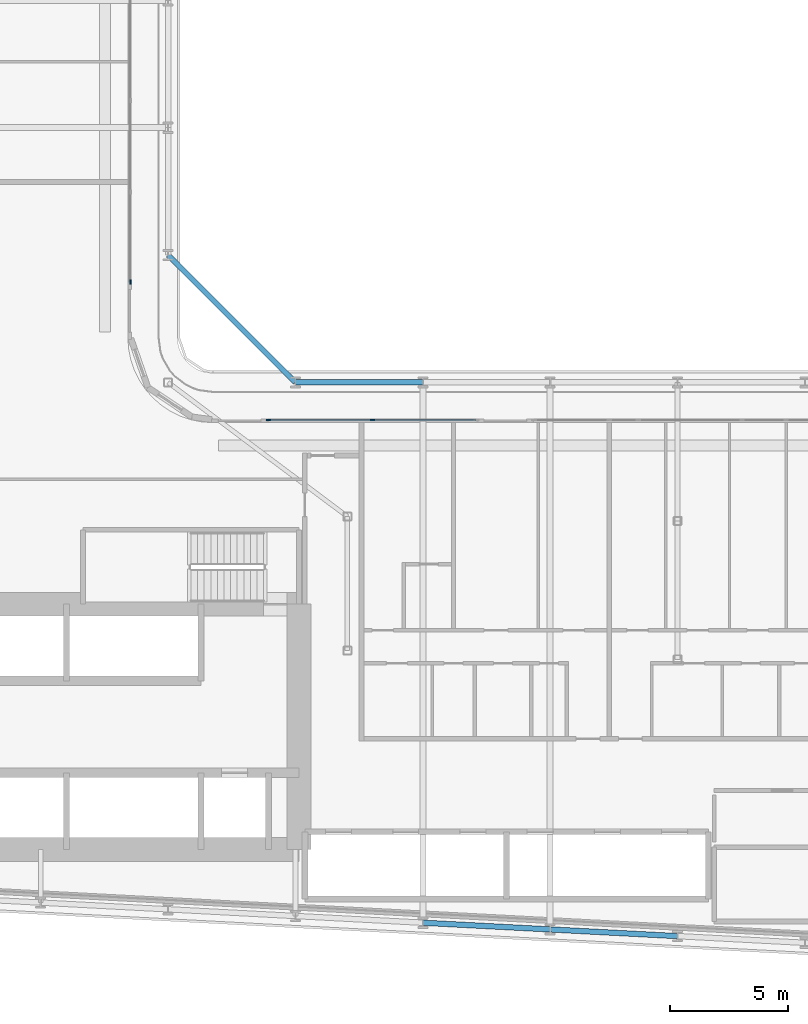
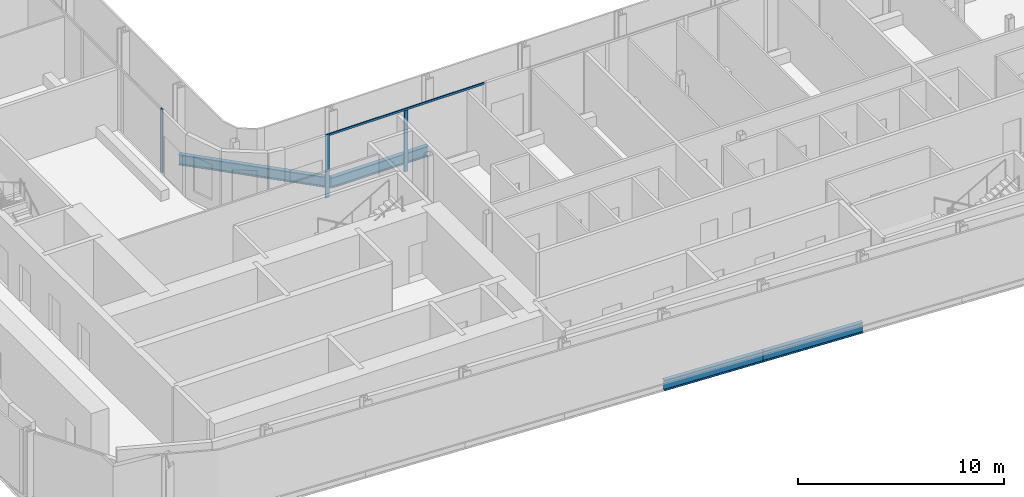
# One storey, part 4 of 28: 4 beams, 4 members, 2 elements without a shape of their own.
"""IFC4 building model written with IfcOpenShell, lengths in metres."""

from ifc_helpers import new_model, si_unit, direction, frame, origin, origin_2d, place, context, subcontext, project, spatial, rectangle, i_section, extrude, material, layer, layer_set, material_profile, profile_set, type_object, element, aggregate, save


model = new_model("IFC4")

# Units and contexts
model_context = context("Model", 3, precision=1e-05, world=origin(), true_north=direction((0.0, 1.0)))
body_context = subcontext(model_context, "Body", "Model", "MODEL_VIEW")
ifc_project = project(units=[si_unit("LENGTHUNIT", "METRE"), si_unit("AREAUNIT", "SQUARE_METRE"), si_unit("VOLUMEUNIT", "CUBIC_METRE"), si_unit("PLANEANGLEUNIT", "RADIAN"), si_unit("MASSUNIT", "GRAM", prefix="KILO")], contexts=[model_context])

# Site, building, storey
site_placement = place(None, origin())
site = spatial("IfcSite", under=ifc_project, at=site_placement, CompositionType="ELEMENT")
building_placement = place(site_placement, origin())
building = spatial("IfcBuilding", under=site, at=building_placement, Name="Kheshtan School and Residences Tower", CompositionType="ELEMENT")
storey_placement = place(building_placement, frame((0.0, 0.0, 42.199951171875)))
storey = spatial("IfcBuildingStorey", under=building, at=storey_placement, Name="L09", CompositionType="ELEMENT", Elevation=42.199951171875)

# Beams
ifc_material_1 = material(Name="Steel ASTM A992 Grade 50", Category="steel")
ifc_material_profile_1 = material_profile(ifc_material_1, i_section(OverallWidth=0.22998046875, OverallDepth=0.616943359375, WebThickness=0.01318359375, FlangeThickness=0.022216796875, FilletRadius=0.0185546875, at=origin_2d()), Name="W610x140")
ifc_profile_set_1 = profile_set([ifc_material_profile_1], Name="Steel ASTM A992 Grade 50")
beam_type = type_object("IfcBeamType", Name="Beam SP1 W610x140 ASTM A992 Grade 50", PredefinedType="BEAM", material=ifc_profile_set_1)
beam_1_placement = place(storey_placement, frame((47.60009765625, 51.0, -0.45849609375), z_axis=(0.707106781187, -0.707106781187, 0.0), x_axis=(0.707106781187, 0.707106781187, 0.0)))
element("IfcBeam", 1, at=beam_1_placement, inside=storey, type_object=beam_type, Name="Spandrel beam C079-C061", PredefinedType="BEAM", context=body_context, shape_type="SweptSolid", body=[
    extrude(i_section(OverallWidth=0.22998046875, OverallDepth=0.616943359375, WebThickness=0.01318359375, FlangeThickness=0.022216796875, FilletRadius=0.0185546875, at=origin_2d()), origin(), (0.0, 0.0, 1.0), 7.63671875),
])
beam_2_placement = place(storey_placement, frame((53.0, 45.60009765625, -0.45849609375), z_axis=(1.0, 0.0, 0.0), x_axis=(0.0, 1.0, 0.0)))
element("IfcBeam", 2, at=beam_2_placement, inside=storey, type_object=beam_type, Name="Spandrel beam C061-C062", PredefinedType="BEAM", context=body_context, shape_type="SweptSolid", body=[
    extrude(i_section(OverallWidth=0.22998046875, OverallDepth=0.616943359375, WebThickness=0.01318359375, FlangeThickness=0.022216796875, FilletRadius=0.0185546875, at=origin_2d()), origin(), (0.0, 0.0, 1.0), 5.39990234375),
])
beam_3_placement = place(storey_placement, frame((69.199951171875, 22.126953125, -0.45849609375), z_axis=(-0.998620447272, 0.05250906864, 0.0), x_axis=(-0.05250906864, -0.998620447272, 0.0)))
element("IfcBeam", 3, at=beam_3_placement, inside=storey, type_object=beam_type, Name="Spandrel beam C014-C016", PredefinedType="BEAM", context=body_context, shape_type="SweptSolid", body=[
    extrude(i_section(OverallWidth=0.22998046875, OverallDepth=0.616943359375, WebThickness=0.01318359375, FlangeThickness=0.022216796875, FilletRadius=0.0185546875, at=origin_2d()), origin(), (0.0, 0.0, 1.0), 5.407470703125),
])
beam_4_placement = place(storey_placement, frame((63.800048828125, 22.410888671875, -0.45849609375), z_axis=(-0.998618203458, 0.052551724256, 0.0), x_axis=(-0.052551724256, -0.998618203458, 0.0)))
element("IfcBeam", 4, at=beam_4_placement, inside=storey, type_object=beam_type, Name="Spandrel beam C016-C018", PredefinedType="BEAM", context=body_context, shape_type="SweptSolid", body=[
    extrude(i_section(OverallWidth=0.22998046875, OverallDepth=0.616943359375, WebThickness=0.01318359375, FlangeThickness=0.022216796875, FilletRadius=0.0185546875, at=origin_2d()), origin(), (0.0, 0.0, 1.0), 5.40771484375),
])

# Curtain wall, member
ifc_material_2 = material(Name="Clear low-e glass in thermally broken aluminium frame", Category="aluminium")
ifc_layer = layer(ifc_material_2, 0.199951171875)
ifc_layer_set = layer_set([ifc_layer], Name="Curtain wall CW-L")
curtain_wall_type = type_object("IfcCurtainWallType", Name="Curtain wall CW-L", PredefinedType="NOTDEFINED", material=ifc_layer_set)
curtain_wall_1_placement = place(storey_placement, origin())
curtain_wall_1 = element("IfcCurtainWall", 5, at=curtain_wall_1_placement, inside=storey, type_object=curtain_wall_type, Name="Curtain wall CWL8", PredefinedType="NOTDEFINED")
ifc_material_3 = material(Name="Thermally broken aluminium, dark bronze anodised", Category="aluminium")
ifc_material_profile_2 = material_profile(ifc_material_3, rectangle(XDim=0.06005859375, YDim=0.199951171875, at=origin_2d()), Name="CW-L mullion 60x200")
ifc_profile_set_2 = profile_set([ifc_material_profile_2], Name="Thermally broken aluminium, dark bronze anodised")
member_type_1 = type_object("IfcMemberType", Name="CW-L mullion 60x200", PredefinedType="MULLION", material=ifc_profile_set_2)
member_1_placement = place(storey_placement, frame((46.0, 49.860107421875, 0.0), z_axis=(0.0, 0.0, 1.0), x_axis=(1.0, 0.0, 0.0)))
member_1 = element("IfcMember", 6, at=member_1_placement, type_object=member_type_1, Name="CWL8 mullion 3", PredefinedType="MULLION", context=body_context, shape_type="SweptSolid", body=[
    extrude(rectangle(XDim=0.06005859375, YDim=0.199951171875, at=origin_2d()), origin(), (0.0, 0.0, 1.0), 3.75),
])
aggregate(curtain_wall_1, [member_1])

# Curtain wall, members
curtain_wall_2_placement = place(storey_placement, origin())
curtain_wall_2 = element("IfcCurtainWall", 7, at=curtain_wall_2_placement, inside=storey, type_object=curtain_wall_type, Name="Curtain wall CWL12f", PredefinedType="NOTDEFINED")
member_2_placement = place(storey_placement, frame((51.860107421875, 44.0, 0.0), z_axis=(0.0, 0.0, 1.0), x_axis=(0.0, 1.0, 0.0)))
member_2 = element("IfcMember", 8, at=member_2_placement, type_object=member_type_1, Name="CWL12f mullion 1", PredefinedType="MULLION", context=body_context, shape_type="SweptSolid", body=[
    extrude(rectangle(XDim=0.06005859375, YDim=0.199951171875, at=origin_2d()), origin(), (0.0, 0.0, 1.0), 3.75),
])
member_3_placement = place(storey_placement, frame((56.263671875, 44.0, 0.0), z_axis=(0.0, 0.0, 1.0), x_axis=(0.0, 1.0, 0.0)))
member_3 = element("IfcMember", 9, at=member_3_placement, type_object=member_type_1, Name="CWL12f mullion 2", PredefinedType="MULLION", context=body_context, shape_type="SweptSolid", body=[
    extrude(rectangle(XDim=0.06005859375, YDim=0.199951171875, at=origin_2d()), origin(), (0.0, 0.0, 1.0), 3.630126953125),
])
ifc_material_profile_3 = material_profile(ifc_material_3, rectangle(XDim=0.06005859375, YDim=0.1201171875, at=origin_2d()), Name="CW-L transom 60x120")
ifc_profile_set_3 = profile_set([ifc_material_profile_3], Name="Thermally broken aluminium, dark bronze anodised")
member_type_2 = type_object("IfcMemberType", Name="CW-L transom 60x120", PredefinedType="USERDEFINED", material=ifc_profile_set_3)
member_4_placement = place(storey_placement, frame((51.889892578125, 44.0, 3.68994140625), z_axis=(1.0, 0.0, 0.0), x_axis=(0.0, 1.0, 0.0)))
member_4 = element("IfcMember", 10, at=member_4_placement, type_object=member_type_2, Name="CWL12f transom 1", ObjectType="TRANSOM", PredefinedType="USERDEFINED", context=body_context, shape_type="SweptSolid", body=[
    extrude(rectangle(XDim=0.06005859375, YDim=0.1201171875, at=origin_2d()), origin(), (0.0, 0.0, 1.0), 8.74755859375),
])
aggregate(curtain_wall_2, [member_2, member_3, member_4])

save(model, "model.ifc")
